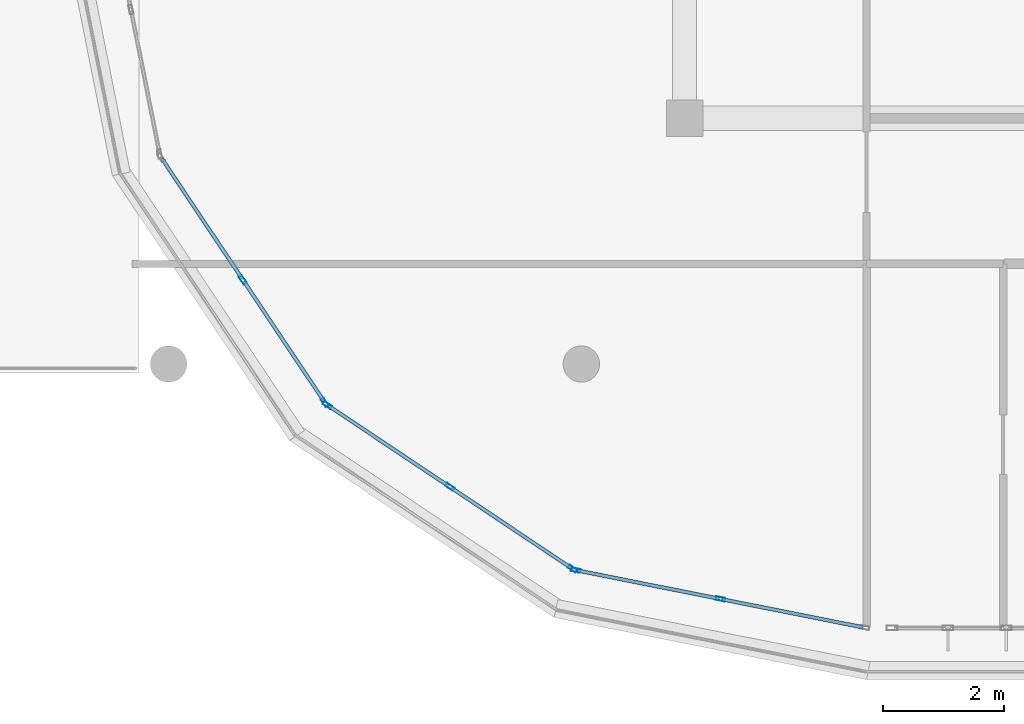
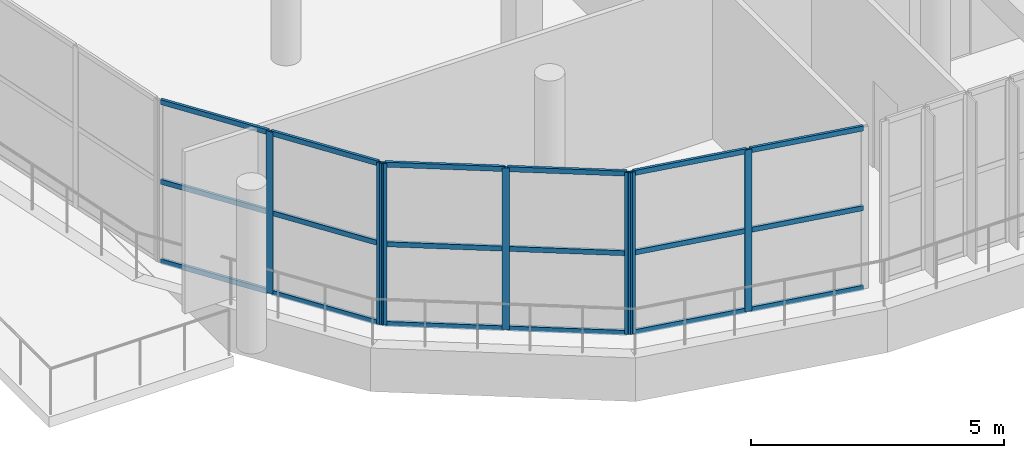
# One storey, part 2 of 56: 25 members, 3 elements without a shape of their own.
"""IFC4 building model written with IfcOpenShell, lengths in metres."""

from ifc_helpers import new_model, si_unit, direction, frame, origin, origin_2d, place, context, subcontext, project, spatial, hollow_rectangle, extrude, material, layer, layer_set, material_profile, profile_set, type_object, element, aggregate, save


model = new_model("IFC4")

# Units and contexts
model_context = context("Model", 3, precision=1e-05, world=origin(), true_north=direction((0.0, 1.0)))
body_context = subcontext(model_context, "Body", "Model", "MODEL_VIEW")
ifc_project = project(units=[si_unit("LENGTHUNIT", "METRE"), si_unit("AREAUNIT", "SQUARE_METRE"), si_unit("VOLUMEUNIT", "CUBIC_METRE"), si_unit("PLANEANGLEUNIT", "RADIAN"), si_unit("MASSUNIT", "GRAM", prefix="KILO")], contexts=[model_context])

# Site, building, storey
site_placement = place(None, origin())
site = spatial("IfcSite", under=ifc_project, at=site_placement, CompositionType="ELEMENT")
building_placement = place(site_placement, origin())
building = spatial("IfcBuilding", under=site, at=building_placement, Name="Zizhar Promenade General Hospital", CompositionType="ELEMENT")
storey_placement = place(building_placement, frame((0.0, 0.0, 26.39990234375)))
storey = spatial("IfcBuildingStorey", under=building, at=storey_placement, Name="L06", CompositionType="ELEMENT", Elevation=26.39990234375)

# Curtain wall, members
ifc_material_1 = material(Name="Anodised aluminium 6063-T6 and low-E glass", Category="aluminium")
ifc_layer = layer(ifc_material_1, 0.159912109375)
ifc_layer_set = layer_set([ifc_layer], Name="Anodised aluminium 6063-T6 and low-E glass")
curtain_wall_type = type_object("IfcCurtainWallType", Name="CW-WARD-ARC", PredefinedType="NOTDEFINED", material=ifc_layer_set)
curtain_wall_1_placement = place(storey_placement, origin())
curtain_wall_1 = element("IfcCurtainWall", 1, at=curtain_wall_1_placement, inside=storey, type_object=curtain_wall_type, Name="Ward Semicircular End Glazing L06-15", PredefinedType="NOTDEFINED")
ifc_material_2 = material(Name="Anodised aluminium 6063-T6", Category="aluminium")
ifc_material_profile_1 = material_profile(ifc_material_2, hollow_rectangle(XDim=0.06005859375, YDim=0.14990234375, WallThickness=0.00390625, at=origin_2d()))
ifc_profile_set_1 = profile_set([ifc_material_profile_1], Name="Anodised aluminium 6063-T6")
member_type_1 = type_object("IfcMemberType", Name="CWM-ALU-150x60", PredefinedType="MULLION", material=ifc_profile_set_1)
member_1_placement = place(storey_placement, frame((25.27392578125, 3.71533203125, 0.0), z_axis=(0.0, 0.0, 1.0), x_axis=(-0.831461514468, -0.555582352095, 0.0)))
member_1 = element("IfcMember", 2, at=member_1_placement, type_object=member_type_1, Name="CW-12 mullion 1", PredefinedType="MULLION", context=body_context, shape_type="SweptSolid", body=[
    extrude(hollow_rectangle(XDim=0.06005859375, YDim=0.14990234375, WallThickness=0.00390625, at=origin_2d()), origin(), (0.0, 0.0, 1.0), 3.900146484375),
])
member_2_placement = place(storey_placement, frame((23.9248046875, 5.734375, 0.0), z_axis=(0.0, 0.0, 1.0), x_axis=(-0.831461514468, -0.555582352095, 0.0)))
member_2 = element("IfcMember", 3, at=member_2_placement, type_object=member_type_1, Name="CW-12 mullion 2", PredefinedType="MULLION", context=body_context, shape_type="SweptSolid", body=[
    extrude(hollow_rectangle(XDim=0.06005859375, YDim=0.14990234375, WallThickness=0.00390625, at=origin_2d()), origin(), (0.0, 0.0, 1.0), 3.900146484375),
])

curtain_wall_2_placement = place(storey_placement, origin())
curtain_wall_2 = element("IfcCurtainWall", 4, at=curtain_wall_2_placement, inside=storey, type_object=curtain_wall_type, Name="Ward Semicircular End Glazing L06-16", PredefinedType="NOTDEFINED")
member_3_placement = place(storey_placement, frame((29.353271484375, 0.975830078125, 0.0), z_axis=(0.0, 0.0, 1.0), x_axis=(-0.555582352095, -0.831461514468, 0.0)))
member_3 = element("IfcMember", 5, at=member_3_placement, type_object=member_type_1, Name="CW-12 mullion 1", PredefinedType="MULLION", context=body_context, shape_type="SweptSolid", body=[
    extrude(hollow_rectangle(XDim=0.06005859375, YDim=0.14990234375, WallThickness=0.00390625, at=origin_2d()), origin(), (0.0, 0.0, 1.0), 3.900146484375),
])
member_4_placement = place(storey_placement, frame((27.334228515625, 2.32470703125, 0.0), z_axis=(0.0, 0.0, 1.0), x_axis=(-0.555582352095, -0.831461514468, 0.0)))
member_4 = element("IfcMember", 6, at=member_4_placement, type_object=member_type_1, Name="CW-12 mullion 2", PredefinedType="MULLION", context=body_context, shape_type="SweptSolid", body=[
    extrude(hollow_rectangle(XDim=0.06005859375, YDim=0.14990234375, WallThickness=0.00390625, at=origin_2d()), origin(), (0.0, 0.0, 1.0), 3.900146484375),
])
member_5_placement = place(storey_placement, frame((25.3154296875, 3.673828125, 0.0), z_axis=(0.0, 0.0, 1.0), x_axis=(-0.555582352095, -0.831461514468, 0.0)))
member_5 = element("IfcMember", 7, at=member_5_placement, type_object=member_type_1, Name="CW-12 mullion 3", PredefinedType="MULLION", context=body_context, shape_type="SweptSolid", body=[
    extrude(hollow_rectangle(XDim=0.06005859375, YDim=0.14990234375, WallThickness=0.00390625, at=origin_2d()), origin(), (0.0, 0.0, 1.0), 3.900146484375),
])

curtain_wall_3_placement = place(storey_placement, origin())
curtain_wall_3 = element("IfcCurtainWall", 8, at=curtain_wall_3_placement, inside=storey, type_object=curtain_wall_type, Name="Ward Semicircular End Glazing L06-17", PredefinedType="NOTDEFINED")
member_6_placement = place(storey_placement, frame((31.7890625, 0.4794921875, 0.0), z_axis=(0.0, 0.0, 1.0), x_axis=(-0.195087259275, -0.980785889615, 0.0)))
member_6 = element("IfcMember", 9, at=member_6_placement, type_object=member_type_1, Name="CW-12 mullion 2", PredefinedType="MULLION", context=body_context, shape_type="SweptSolid", body=[
    extrude(hollow_rectangle(XDim=0.06005859375, YDim=0.14990234375, WallThickness=0.00390625, at=origin_2d()), origin(), (0.0, 0.0, 1.0), 3.900146484375),
])
member_7_placement = place(storey_placement, frame((29.40771484375, 0.953369140625, 0.0), z_axis=(0.0, 0.0, 1.0), x_axis=(-0.195087259275, -0.980785889615, 0.0)))
member_7 = element("IfcMember", 10, at=member_7_placement, type_object=member_type_1, Name="CW-12 mullion 3", PredefinedType="MULLION", context=body_context, shape_type="SweptSolid", body=[
    extrude(hollow_rectangle(XDim=0.06005859375, YDim=0.14990234375, WallThickness=0.00390625, at=origin_2d()), origin(), (0.0, 0.0, 1.0), 3.900146484375),
])

# Member
ifc_material_3 = material(Name="Anodised aluminium 6063-T6", Category="aluminium")
ifc_material_profile_2 = material_profile(ifc_material_3, hollow_rectangle(XDim=0.06005859375, YDim=0.1201171875, WallThickness=0.00390625, at=origin_2d()))
ifc_profile_set_2 = profile_set([ifc_material_profile_2], Name="Anodised aluminium 6063-T6")
member_type_2 = type_object("IfcMemberType", Name="CWT-ALU-120x60", PredefinedType="USERDEFINED", material=ifc_profile_set_2)
member_8_placement = place(storey_placement, frame((25.257080078125, 3.740478515625, 0.030029296875), z_axis=(-0.555580160396, 0.831462978956, 0.0), x_axis=(-0.831462978956, -0.555580160396, 0.0)))
member_8 = element("IfcMember", 11, at=member_8_placement, type_object=member_type_2, Name="CW-12 transom 1.1", ObjectType="TRANSOM", PredefinedType="USERDEFINED", context=body_context, shape_type="SweptSolid", body=[
    extrude(hollow_rectangle(XDim=0.06005859375, YDim=0.1201171875, WallThickness=0.00390625, at=origin_2d()), origin(), (0.0, 0.0, 1.0), 2.3681640625),
])

member_9_placement = place(storey_placement, frame((25.257080078125, 3.740478515625, 1.9501953125), z_axis=(-0.555580160396, 0.831462978956, 0.0), x_axis=(-0.831462978956, -0.555580160396, 0.0)))
member_9 = element("IfcMember", 12, at=member_9_placement, type_object=member_type_2, Name="CW-12 transom 1.2", ObjectType="TRANSOM", PredefinedType="USERDEFINED", context=body_context, shape_type="SweptSolid", body=[
    extrude(hollow_rectangle(XDim=0.06005859375, YDim=0.1201171875, WallThickness=0.00390625, at=origin_2d()), origin(), (0.0, 0.0, 1.0), 2.3681640625),
])

member_10_placement = place(storey_placement, frame((25.257080078125, 3.740478515625, 3.8701171875), z_axis=(-0.555580160396, 0.831462978956, 0.0), x_axis=(-0.831462978956, -0.555580160396, 0.0)))
member_10 = element("IfcMember", 13, at=member_10_placement, type_object=member_type_2, Name="CW-12 transom 1.3", ObjectType="TRANSOM", PredefinedType="USERDEFINED", context=body_context, shape_type="SweptSolid", body=[
    extrude(hollow_rectangle(XDim=0.06005859375, YDim=0.1201171875, WallThickness=0.00390625, at=origin_2d()), origin(), (0.0, 0.0, 1.0), 2.3681640625),
])

member_11_placement = place(storey_placement, frame((23.908203125, 5.75927734375, 0.030029296875), z_axis=(-0.555580160396, 0.831462978956, 0.0), x_axis=(-0.831462978956, -0.555580160396, 0.0)))
member_11 = element("IfcMember", 14, at=member_11_placement, type_object=member_type_2, Name="CW-12 transom 2.1", ObjectType="TRANSOM", PredefinedType="USERDEFINED", context=body_context, shape_type="SweptSolid", body=[
    extrude(hollow_rectangle(XDim=0.06005859375, YDim=0.1201171875, WallThickness=0.00390625, at=origin_2d()), origin(), (0.0, 0.0, 1.0), 2.3681640625),
])

member_12_placement = place(storey_placement, frame((23.908203125, 5.75927734375, 1.9501953125), z_axis=(-0.555580160396, 0.831462978956, 0.0), x_axis=(-0.831462978956, -0.555580160396, 0.0)))
member_12 = element("IfcMember", 15, at=member_12_placement, type_object=member_type_2, Name="CW-12 transom 2.2", ObjectType="TRANSOM", PredefinedType="USERDEFINED", context=body_context, shape_type="SweptSolid", body=[
    extrude(hollow_rectangle(XDim=0.06005859375, YDim=0.1201171875, WallThickness=0.00390625, at=origin_2d()), origin(), (0.0, 0.0, 1.0), 2.3681640625),
])

member_13_placement = place(storey_placement, frame((23.908203125, 5.75927734375, 3.8701171875), z_axis=(-0.555580160396, 0.831462978956, 0.0), x_axis=(-0.831462978956, -0.555580160396, 0.0)))
member_13 = element("IfcMember", 16, at=member_13_placement, type_object=member_type_2, Name="CW-12 transom 2.3", ObjectType="TRANSOM", PredefinedType="USERDEFINED", context=body_context, shape_type="SweptSolid", body=[
    extrude(hollow_rectangle(XDim=0.06005859375, YDim=0.1201171875, WallThickness=0.00390625, at=origin_2d()), origin(), (0.0, 0.0, 1.0), 2.3681640625),
])

aggregate(curtain_wall_1, [member_1, member_2, member_8, member_9, member_10, member_11, member_12, member_13])

member_14_placement = place(storey_placement, frame((29.328369140625, 0.992431640625, 0.030029296875), z_axis=(-0.831462978956, 0.555580160396, 0.0), x_axis=(-0.555580160396, -0.831462978956, 0.0)))
member_14 = element("IfcMember", 17, at=member_14_placement, type_object=member_type_2, Name="CW-12 transom 1.1", ObjectType="TRANSOM", PredefinedType="USERDEFINED", context=body_context, shape_type="SweptSolid", body=[
    extrude(hollow_rectangle(XDim=0.06005859375, YDim=0.1201171875, WallThickness=0.00390625, at=origin_2d()), origin(), (0.0, 0.0, 1.0), 2.3681640625),
])

member_15_placement = place(storey_placement, frame((29.328369140625, 0.992431640625, 1.9501953125), z_axis=(-0.831462978956, 0.555580160396, 0.0), x_axis=(-0.555580160396, -0.831462978956, 0.0)))
member_15 = element("IfcMember", 18, at=member_15_placement, type_object=member_type_2, Name="CW-12 transom 1.2", ObjectType="TRANSOM", PredefinedType="USERDEFINED", context=body_context, shape_type="SweptSolid", body=[
    extrude(hollow_rectangle(XDim=0.06005859375, YDim=0.1201171875, WallThickness=0.00390625, at=origin_2d()), origin(), (0.0, 0.0, 1.0), 2.3681640625),
])

member_16_placement = place(storey_placement, frame((29.328369140625, 0.992431640625, 3.8701171875), z_axis=(-0.831462978956, 0.555580160396, 0.0), x_axis=(-0.555580160396, -0.831462978956, 0.0)))
member_16 = element("IfcMember", 19, at=member_16_placement, type_object=member_type_2, Name="CW-12 transom 1.3", ObjectType="TRANSOM", PredefinedType="USERDEFINED", context=body_context, shape_type="SweptSolid", body=[
    extrude(hollow_rectangle(XDim=0.06005859375, YDim=0.1201171875, WallThickness=0.00390625, at=origin_2d()), origin(), (0.0, 0.0, 1.0), 2.3681640625),
])

member_17_placement = place(storey_placement, frame((27.309326171875, 2.341552734375, 0.030029296875), z_axis=(-0.831462978956, 0.555580160396, 0.0), x_axis=(-0.555580160396, -0.831462978956, 0.0)))
member_17 = element("IfcMember", 20, at=member_17_placement, type_object=member_type_2, Name="CW-12 transom 2.1", ObjectType="TRANSOM", PredefinedType="USERDEFINED", context=body_context, shape_type="SweptSolid", body=[
    extrude(hollow_rectangle(XDim=0.06005859375, YDim=0.1201171875, WallThickness=0.00390625, at=origin_2d()), origin(), (0.0, 0.0, 1.0), 2.3681640625),
])

member_18_placement = place(storey_placement, frame((27.309326171875, 2.341552734375, 1.9501953125), z_axis=(-0.831462978956, 0.555580160396, 0.0), x_axis=(-0.555580160396, -0.831462978956, 0.0)))
member_18 = element("IfcMember", 21, at=member_18_placement, type_object=member_type_2, Name="CW-12 transom 2.2", ObjectType="TRANSOM", PredefinedType="USERDEFINED", context=body_context, shape_type="SweptSolid", body=[
    extrude(hollow_rectangle(XDim=0.06005859375, YDim=0.1201171875, WallThickness=0.00390625, at=origin_2d()), origin(), (0.0, 0.0, 1.0), 2.3681640625),
])

member_19_placement = place(storey_placement, frame((27.309326171875, 2.341552734375, 3.8701171875), z_axis=(-0.831462978956, 0.555580160396, 0.0), x_axis=(-0.555580160396, -0.831462978956, 0.0)))
member_19 = element("IfcMember", 22, at=member_19_placement, type_object=member_type_2, Name="CW-12 transom 2.3", ObjectType="TRANSOM", PredefinedType="USERDEFINED", context=body_context, shape_type="SweptSolid", body=[
    extrude(hollow_rectangle(XDim=0.06005859375, YDim=0.1201171875, WallThickness=0.00390625, at=origin_2d()), origin(), (0.0, 0.0, 1.0), 2.3681640625),
])

aggregate(curtain_wall_2, [member_3, member_4, member_5, member_14, member_15, member_16, member_17, member_18, member_19])

member_20_placement = place(storey_placement, frame((34.14111328125, 0.01171875, 0.030029296875), z_axis=(-0.980790278018, 0.195065195628, 0.0), x_axis=(-0.195065195628, -0.980790278018, 0.0)))
member_20 = element("IfcMember", 23, at=member_20_placement, type_object=member_type_2, Name="CW-12 transom 1.1", ObjectType="TRANSOM", PredefinedType="USERDEFINED", context=body_context, shape_type="SweptSolid", body=[
    extrude(hollow_rectangle(XDim=0.06005859375, YDim=0.1201171875, WallThickness=0.00390625, at=origin_2d()), origin(), (0.0, 0.0, 1.0), 2.367919921875),
])

member_21_placement = place(storey_placement, frame((34.14111328125, 0.01171875, 1.9501953125), z_axis=(-0.980790278018, 0.195065195628, 0.0), x_axis=(-0.195065195628, -0.980790278018, 0.0)))
member_21 = element("IfcMember", 24, at=member_21_placement, type_object=member_type_2, Name="CW-12 transom 1.2", ObjectType="TRANSOM", PredefinedType="USERDEFINED", context=body_context, shape_type="SweptSolid", body=[
    extrude(hollow_rectangle(XDim=0.06005859375, YDim=0.1201171875, WallThickness=0.00390625, at=origin_2d()), origin(), (0.0, 0.0, 1.0), 2.367919921875),
])

member_22_placement = place(storey_placement, frame((34.14111328125, 0.01171875, 3.8701171875), z_axis=(-0.980790278018, 0.195065195628, 0.0), x_axis=(-0.195065195628, -0.980790278018, 0.0)))
member_22 = element("IfcMember", 25, at=member_22_placement, type_object=member_type_2, Name="CW-12 transom 1.3", ObjectType="TRANSOM", PredefinedType="USERDEFINED", context=body_context, shape_type="SweptSolid", body=[
    extrude(hollow_rectangle(XDim=0.06005859375, YDim=0.1201171875, WallThickness=0.00390625, at=origin_2d()), origin(), (0.0, 0.0, 1.0), 2.367919921875),
])

member_23_placement = place(storey_placement, frame((31.759765625, 0.4853515625, 0.030029296875), z_axis=(-0.980774474825, 0.195144637465, 0.0), x_axis=(-0.195144637465, -0.980774474825, 0.0)))
member_23 = element("IfcMember", 26, at=member_23_placement, type_object=member_type_2, Name="CW-12 transom 2.1", ObjectType="TRANSOM", PredefinedType="USERDEFINED", context=body_context, shape_type="SweptSolid", body=[
    extrude(hollow_rectangle(XDim=0.06005859375, YDim=0.1201171875, WallThickness=0.00390625, at=origin_2d()), origin(), (0.0, 0.0, 1.0), 2.3681640625),
])

member_24_placement = place(storey_placement, frame((31.759765625, 0.4853515625, 1.9501953125), z_axis=(-0.980774474825, 0.195144637465, 0.0), x_axis=(-0.195144637465, -0.980774474825, 0.0)))
member_24 = element("IfcMember", 27, at=member_24_placement, type_object=member_type_2, Name="CW-12 transom 2.2", ObjectType="TRANSOM", PredefinedType="USERDEFINED", context=body_context, shape_type="SweptSolid", body=[
    extrude(hollow_rectangle(XDim=0.06005859375, YDim=0.1201171875, WallThickness=0.00390625, at=origin_2d()), origin(), (0.0, 0.0, 1.0), 2.3681640625),
])

member_25_placement = place(storey_placement, frame((31.759765625, 0.4853515625, 3.8701171875), z_axis=(-0.980774474825, 0.195144637465, 0.0), x_axis=(-0.195144637465, -0.980774474825, 0.0)))
member_25 = element("IfcMember", 28, at=member_25_placement, type_object=member_type_2, Name="CW-12 transom 2.3", ObjectType="TRANSOM", PredefinedType="USERDEFINED", context=body_context, shape_type="SweptSolid", body=[
    extrude(hollow_rectangle(XDim=0.06005859375, YDim=0.1201171875, WallThickness=0.00390625, at=origin_2d()), origin(), (0.0, 0.0, 1.0), 2.3681640625),
])

aggregate(curtain_wall_3, [member_6, member_7, member_20, member_21, member_22, member_23, member_24, member_25])

save(model, "model.ifc")
